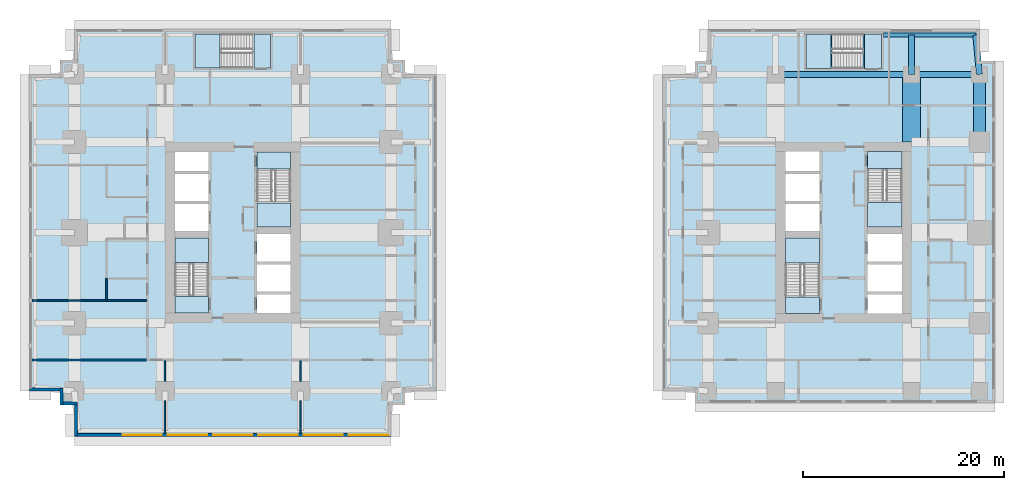
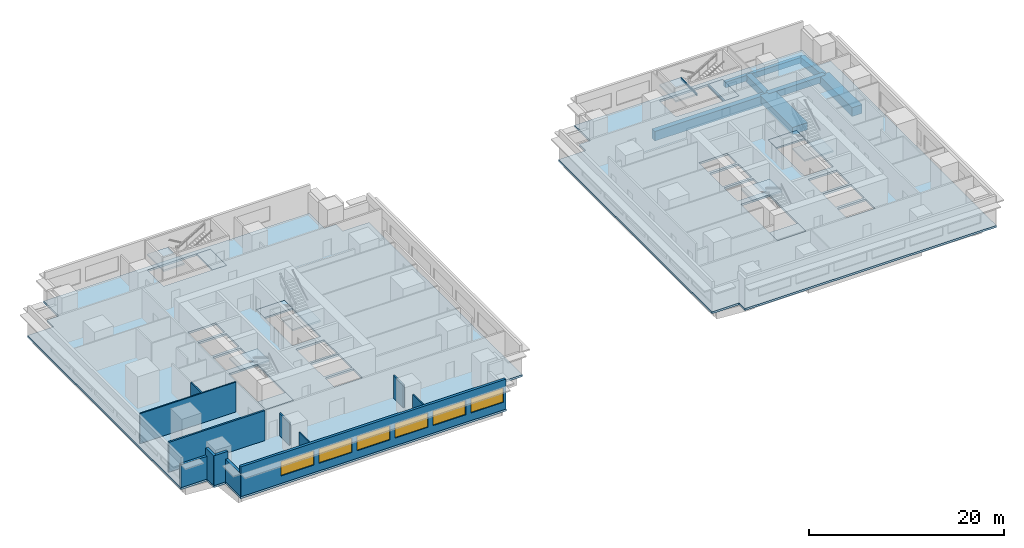
# One storey, part 2 of 11: 14 slabs, 12 walls, 9 beams, 6 windows, 6 openings, 6 elements without a shape of their own.
"""IFC4 building model written with IfcOpenShell, lengths in metres."""

import ifcopenshell
import ifcopenshell.guid

model = None  # the IFC model being written
_history = None  # IfcOwnerHistory: only IFC2X3 demands one
_inside = {}  # id of a spatial element -> (the spatial element, [elements in it])
_under = {}  # id of a project, library or spatial element -> (it, [spatial elements below it])
_declared = {}  # id of a project -> (the project, [libraries it declares])
_typed = {}  # id of a type object -> (the type object, [elements of that type])
_made_of = {}  # id of a material, layer set ... -> (it, [elements and type objects made of it])


def new_model(schema):
    """Start an empty IFC model of exactly this schema.

    Asked for "IFC4X3", IfcOpenShell would pick the latest addendum, in which some entities
    have other attributes; the version numbers below select the first issue.
    IFC2X3 requires an IfcOwnerHistory on every rooted entity: one is made here for all.
    """
    global model, _history
    if schema == "IFC4X3":
        model = ifcopenshell.file(schema_version=(4, 3, 0, 0))
    else:
        model = ifcopenshell.file(schema=schema)
    _inside.clear()
    _under.clear()
    _declared.clear()
    _typed.clear()
    _made_of.clear()
    _history = None
    if model.schema == "IFC2X3":
        org = make("IfcOrganization", Name="unknown")
        user = make(
            "IfcPersonAndOrganization",
            ThePerson=make("IfcPerson", FamilyName="unknown"),
            TheOrganization=org,
        )
        app = make(
            "IfcApplication",
            ApplicationDeveloper=org,
            Version="unknown",
            ApplicationFullName="unknown",
            ApplicationIdentifier="unknown",
        )
        _history = make(
            "IfcOwnerHistory",
            OwningUser=user,
            OwningApplication=app,
            ChangeAction="ADDED",
            CreationDate=0,
        )
    return model


def make(cls, **values):
    """One entity of the class cls with the attributes given. An attribute that is None is left unset."""
    return model.create_entity(
        cls, **{name: value for name, value in values.items() if value is not None}
    )


def rooted(cls, **values):
    """An entity with a GlobalId (a new one), such as an element, a storey or a relation."""
    return make(cls, GlobalId=ifcopenshell.guid.new(), OwnerHistory=_history, **values)


def si_unit(unit_type, name, prefix=None):
    """IfcSIUnit, for example si_unit("LENGTHUNIT", "METRE", prefix="MILLI")."""
    return make("IfcSIUnit", UnitType=unit_type, Prefix=prefix, Name=name)


def assignment(units):
    """IfcUnitAssignment: the units of a project."""
    return None if units is None else make("IfcUnitAssignment", Units=units)


def point(xyz):
    """IfcCartesianPoint."""
    return None if xyz is None else make("IfcCartesianPoint", Coordinates=xyz)


def direction(xyz):
    """IfcDirection."""
    return None if xyz is None else make("IfcDirection", DirectionRatios=xyz)


def frame(location, z_axis=None, x_axis=None):
    """IfcAxis2Placement3D, a coordinate frame: its origin and axes. An axis left out is left unset."""
    return make(
        "IfcAxis2Placement3D",
        Location=point(location),
        Axis=direction(z_axis),
        RefDirection=direction(x_axis),
    )


def frame_2d(location, x_axis=None):
    """IfcAxis2Placement2D, a coordinate frame in the plane: its origin and x axis."""
    return make(
        "IfcAxis2Placement2D", Location=point(location), RefDirection=direction(x_axis)
    )


def origin():
    """The frame at (0, 0, 0) with its axes left unset."""
    return frame((0.0, 0.0, 0.0))


def origin_2d():
    """The frame at (0, 0) in the plane with its x axis left unset."""
    return frame_2d((0.0, 0.0))


def place(relative_to, where):
    """IfcLocalPlacement: puts the frame where relative to a parent placement (None: the world)."""
    return make(
        "IfcLocalPlacement", PlacementRelTo=relative_to, RelativePlacement=where
    )


def context(
    kind, dimensions, precision=None, world=None, true_north=None, identifier=None
):
    """IfcGeometricRepresentationContext, for example the 3D "Model" context."""
    return make(
        "IfcGeometricRepresentationContext",
        ContextIdentifier=identifier,
        ContextType=kind,
        CoordinateSpaceDimension=dimensions,
        Precision=precision,
        WorldCoordinateSystem=world,
        TrueNorth=true_north,
    )


def subcontext(parent, identifier, kind, view, scale=None):
    """IfcGeometricRepresentationSubContext, for example "Body" below "Model"."""
    return make(
        "IfcGeometricRepresentationSubContext",
        ContextIdentifier=identifier,
        ContextType=kind,
        ParentContext=parent,
        TargetScale=scale,
        TargetView=view,
    )


def project(units=None, contexts=None):
    """IfcProject with its units and contexts."""
    return rooted(
        "IfcProject",
        Name="project",
        RepresentationContexts=contexts,
        UnitsInContext=assignment(units),
    )


def spatial(cls, under=None, at=None, **own):
    """A site, building, storey or space (cls), placed at a placement, below another one or the project."""
    s = rooted(cls, ObjectPlacement=at, **own)
    if under is not None:
        _under.setdefault(under.id(), (under, []))[1].append(s)
    return s


def polyline(points):
    """IfcPolyline through the points."""
    return make("IfcPolyline", Points=[point(p) for p in points])


def profile(cls, at=None, kind="AREA", **sizes):
    """A parametric profile (cls). Its sizes go by their IFC names, for example OverallWidth=200.0."""
    return make(cls, ProfileType=kind, Position=at, **sizes)


def rectangle(**sizes):
    """IfcRectangleProfileDef."""
    return profile("IfcRectangleProfileDef", **sizes)


def i_section(**sizes):
    """IfcIShapeProfileDef."""
    return profile("IfcIShapeProfileDef", **sizes)


def outline(outer, holes=None, kind="AREA"):
    """IfcArbitraryClosedProfileDef: a profile drawn as a closed curve; with holes, ...WithVoids."""
    if holes is None:
        return make("IfcArbitraryClosedProfileDef", ProfileType=kind, OuterCurve=outer)
    return make(
        "IfcArbitraryProfileDefWithVoids",
        ProfileType=kind,
        OuterCurve=outer,
        InnerCurves=holes,
    )


def extrude(swept, where, along, depth):
    """IfcExtrudedAreaSolid: the profile swept, set in the frame where, extruded along a direction by depth."""
    return make(
        "IfcExtrudedAreaSolid",
        SweptArea=swept,
        Position=where,
        ExtrudedDirection=direction(along),
        Depth=depth,
    )


def shape(context_of_items, identifier, shape_type, items):
    """IfcShapeRepresentation: the items that make up one representation, for example the "Body"."""
    return make(
        "IfcShapeRepresentation",
        ContextOfItems=context_of_items,
        RepresentationIdentifier=identifier,
        RepresentationType=shape_type,
        Items=items,
    )


def material(Name=None, Category=None):
    """IfcMaterial."""
    return make("IfcMaterial", Name=Name, Category=Category)


def layer(
    of_material, thickness, ventilated=None, Name=None, Category=None, Priority=None
):
    """IfcMaterialLayer: one layer of a wall or slab, of a material (None: an air gap)."""
    return make(
        "IfcMaterialLayer",
        Material=of_material,
        LayerThickness=thickness,
        IsVentilated=ventilated,
        Name=Name,
        Category=Category,
        Priority=Priority,
    )


def layer_set(layers, Name=None):
    """IfcMaterialLayerSet."""
    return make("IfcMaterialLayerSet", MaterialLayers=layers, LayerSetName=Name)


def material_profile(
    of_material, cross_section, Name=None, Category=None, Priority=None
):
    """IfcMaterialProfile: a cross section and its material."""
    return make(
        "IfcMaterialProfile",
        Name=Name,
        Material=of_material,
        Profile=cross_section,
        Priority=Priority,
        Category=Category,
    )


def profile_set(profiles, Name=None, composite=None):
    """IfcMaterialProfileSet."""
    return make(
        "IfcMaterialProfileSet",
        Name=Name,
        MaterialProfiles=profiles,
        CompositeProfile=composite,
    )


def made_of(thing, what):
    """Note that an element or type object is made of a material, layer set ...; save() writes the relation."""
    if what is not None:
        _made_of.setdefault(what.id(), (what, []))[1].append(thing)
    return thing


def type_object(cls, material=None, **own):
    """A type object (cls), such as IfcWallType, which elements share."""
    return made_of(rooted(cls, **own), material)


def element(
    cls,
    number,
    at=None,
    inside=None,
    cuts=None,
    type_object=None,
    material=None,
    context=None,
    identifier="Body",
    shape_type=None,
    held_by="IfcProductDefinitionShape",
    body=None,
    shapes=None,
    **own,
):
    """One element of the class cls, such as IfcWall. Its Tag is "e" and its number.

    at: its placement. inside: the storey or other place that contains it. cuts: it is an
    opening in that element (IfcRelVoidsElement). A single representation is given by context,
    identifier, shape_type and body (its items); several are given by shapes. held_by: the class
    of the entity that holds the representations. save() writes the other relations.
    """
    e = rooted(cls, Tag="e%d" % number, ObjectPlacement=at, **own)
    if body is not None:
        shapes = [shape(context, identifier, shape_type, body)]
    if shapes is not None:
        e.Representation = make(held_by, Representations=shapes)
    if inside is not None:
        _inside.setdefault(inside.id(), (inside, []))[1].append(e)
    if cuts is not None:
        rooted(
            "IfcRelVoidsElement", RelatingBuildingElement=cuts, RelatedOpeningElement=e
        )
    if type_object is not None:
        _typed.setdefault(type_object.id(), (type_object, []))[1].append(e)
    return made_of(e, material)


def fill(opening, filler):
    """IfcRelFillsElement: the door or window that sits in an opening."""
    return rooted(
        "IfcRelFillsElement",
        RelatingOpeningElement=opening,
        RelatedBuildingElement=filler,
    )


def aggregate(whole, parts):
    """IfcRelAggregates: a whole, such as a stair, and the parts it consists of."""
    return rooted("IfcRelAggregates", RelatingObject=whole, RelatedObjects=parts)


def save(model, path):
    """Write the relations noted so far, then the file.

    IfcRelAggregates (storeys below a building ...), IfcRelContainedInSpatialStructure (elements
    in a storey), IfcRelDefinesByType, IfcRelAssociatesMaterial and IfcRelDeclares: one each for
    every whole, place, type object, material and project.
    """
    for whole, parts in _under.values():
        aggregate(whole, parts)
    for where, things in _inside.values():
        rooted(
            "IfcRelContainedInSpatialStructure",
            RelatedElements=things,
            RelatingStructure=where,
        )
    for kind, things in _typed.values():
        rooted("IfcRelDefinesByType", RelatedObjects=things, RelatingType=kind)
    for what, things in _made_of.values():
        rooted("IfcRelAssociatesMaterial", RelatedObjects=things, RelatingMaterial=what)
    for by, libraries in _declared.values():
        rooted("IfcRelDeclares", RelatingContext=by, RelatedDefinitions=libraries)
    model.write(path)


model = new_model("IFC4")

# Units and contexts
model_context = context("Model", 3, precision=1e-05, world=origin(), true_north=direction((0.0, 1.0)))
body_context = subcontext(model_context, "Body", "Model", "MODEL_VIEW")
ifc_project = project(units=[si_unit("LENGTHUNIT", "METRE"), si_unit("AREAUNIT", "SQUARE_METRE"), si_unit("VOLUMEUNIT", "CUBIC_METRE"), si_unit("PLANEANGLEUNIT", "RADIAN"), si_unit("MASSUNIT", "GRAM", prefix="KILO")], contexts=[model_context])

# Site, building, storey
site_placement = place(None, origin())
site = spatial("IfcSite", under=ifc_project, at=site_placement, CompositionType="ELEMENT")
building_placement = place(site_placement, origin())
building = spatial("IfcBuilding", under=site, at=building_placement, Name="Namib Vertical Campus", CompositionType="ELEMENT")
storey_placement = place(building_placement, frame((0.0, 0.0, 93.0)))
storey = spatial("IfcBuildingStorey", under=building, at=storey_placement, Name="L21", CompositionType="ELEMENT", Elevation=93.0)

# Beams
ifc_material_1 = material(Name="Concrete C40/50", Category="concrete")
ifc_material_profile_1 = material_profile(ifc_material_1, rectangle(XDim=0.60009765625, YDim=0.89990234375, at=origin_2d()))
ifc_profile_set_1 = profile_set([ifc_material_profile_1], Name="Concrete C40/50")
beam_type_1 = type_object("IfcBeamType", Name="Cantilever girder RC 600x900", PredefinedType="BEAM", material=ifc_profile_set_1)
beam_1_placement = place(storey_placement, frame((87.75, 36.0, -0.699951171875), z_axis=(0.0, 1.0, 0.0), x_axis=(-1.0, 0.0, 0.0)))
element("IfcBeam", 1, at=beam_1_placement, inside=storey, type_object=beam_type_1, Name="Beam B3 L21", PredefinedType="BEAM", context=body_context, shape_type="SweptSolid", body=[
    extrude(rectangle(XDim=0.60009765625, YDim=0.89990234375, at=origin_2d()), origin(), (0.0, 0.0, 1.0), 3.89990234375),
])
beam_2_placement = place(storey_placement, frame((94.5, 36.0, -0.699951171875), z_axis=(-0.089411326146, 0.995994786511, 0.0), x_axis=(-0.995994786511, -0.089411326146, 0.0)))
element("IfcBeam", 2, at=beam_2_placement, inside=storey, type_object=beam_type_1, Name="Beam B3 L21", PredefinedType="BEAM", context=body_context, shape_type="SweptSolid", body=[
    extrude(rectangle(XDim=0.60009765625, YDim=0.89990234375, at=origin_2d()), origin(), (0.0, 0.0, 1.0), 3.91552734375),
])
ifc_material_2 = material(Name="Concrete C40/50", Category="concrete")
ifc_material_profile_2 = material_profile(ifc_material_2, rectangle(XDim=0.39990234375, YDim=0.699951171875, at=origin_2d()))
ifc_profile_set_2 = profile_set([ifc_material_profile_2], Name="Concrete C40/50")
beam_type_2 = type_object("IfcBeamType", Name="Edge beam RC 400x700", PredefinedType="SPANDREL", material=ifc_profile_set_2)
beam_3_placement = place(storey_placement, frame((84.949951171875, 39.89990234375, -0.60009765625), z_axis=(1.0, 0.0, 0.0), x_axis=(0.0, 1.0, 0.0)))
element("IfcBeam", 3, at=beam_3_placement, inside=storey, type_object=beam_type_2, Name="Beam B4 L21", PredefinedType="SPANDREL", context=body_context, shape_type="SweptSolid", body=[
    extrude(rectangle(XDim=0.39990234375, YDim=0.699951171875, at=origin_2d()), origin(), (0.0, 0.0, 1.0), 9.199951171875),
])
ifc_material_3 = material(Name="Concrete C40/50", Category="concrete")
ifc_material_profile_3 = material_profile(ifc_material_3, rectangle(XDim=1.199951171875, YDim=1.10009765625, at=origin_2d()))
ifc_profile_set_3 = profile_set([ifc_material_profile_3], Name="Concrete C40/50")
beam_type_3 = type_object("IfcBeamType", Name="Face ring beam RC 1200x1100", PredefinedType="BEAM", material=ifc_profile_set_3)
beam_4_placement = place(storey_placement, frame((94.5, 29.25, -0.800048828125), z_axis=(0.0, 1.0, 0.0), x_axis=(-1.0, 0.0, 0.0)))
element("IfcBeam", 4, at=beam_4_placement, inside=storey, type_object=beam_type_3, Name="Beam B11 L21", PredefinedType="BEAM", context=body_context, shape_type="SweptSolid", body=[
    extrude(rectangle(XDim=1.199951171875, YDim=1.10009765625, at=origin_2d()), origin(), (0.0, 0.0, 1.0), 6.75),
])
ifc_material_4 = material(Name="Steel S355JR", Category="steel")
ifc_material_profile_4 = material_profile(ifc_material_4, i_section(OverallWidth=0.14599609375, OverallDepth=0.25146484375, WebThickness=0.006103515625, FlangeThickness=0.008544921875, FilletRadius=0.007568359375, at=origin_2d()))
ifc_profile_set_4 = profile_set([ifc_material_profile_4], Name="Steel S355JR")
beam_type_4 = type_object("IfcBeamType", Name="Landing trimmer UB 254x146x31", PredefinedType="BEAM", material=ifc_profile_set_4)
for number, where, z_axis, x_axis, name in (
    (5, (83.02294921875, 36.60009765625, -0.125732421875), (0.0, 1.0, 0.0), (-1.0, 0.0, 0.0), "Landing trimmer LT1 B-S3 L21 1"),
    (6, (79.796875, 36.60009765625, 1.874267578125), (0.0, 1.0, 0.0), (-1.0, 0.0, 0.0), "Landing trimmer LT1 B-S3 L21 2"),
):
    element("IfcBeam", number, at=place(storey_placement, frame(where, z_axis=z_axis, x_axis=x_axis)), inside=storey, type_object=beam_type_4, Name=name, PredefinedType="BEAM", context=body_context, shape_type="SweptSolid", body=[
        extrude(i_section(OverallWidth=0.14599609375, OverallDepth=0.25146484375, WebThickness=0.006103515625, FlangeThickness=0.008544921875, FilletRadius=0.007568359375, at=origin_2d()), origin(), (0.0, 0.0, 1.0), 3.39990234375),
    ])
ifc_material_5 = material(Name="Concrete C40/50", Category="concrete")
ifc_material_profile_5 = material_profile(ifc_material_5, rectangle(XDim=0.60009765625, YDim=1.199951171875, at=origin_2d()))
ifc_profile_set_5 = profile_set([ifc_material_profile_5], Name="Concrete C40/50")
beam_type_5 = type_object("IfcBeamType", Name="Long-span ring beam RC 600x1200", PredefinedType="BEAM", material=ifc_profile_set_5)
beam_5_placement = place(storey_placement, frame((74.25, 36.0, -0.85009765625), z_axis=(1.0, 0.0, 0.0), x_axis=(0.0, 1.0, 0.0)))
element("IfcBeam", 7, at=beam_5_placement, inside=storey, type_object=beam_type_5, Name="Beam B9 L21", PredefinedType="BEAM", context=body_context, shape_type="SweptSolid", body=[
    extrude(rectangle(XDim=0.60009765625, YDim=1.199951171875, at=origin_2d()), origin(), (0.0, 0.0, 1.0), 13.5),
])
ifc_material_6 = material(Name="Concrete C40/50", Category="concrete")
ifc_material_profile_6 = material_profile(ifc_material_6, rectangle(XDim=1.800048828125, YDim=0.89990234375, at=origin_2d()))
ifc_profile_set_6 = profile_set([ifc_material_profile_6], Name="Concrete C40/50")
beam_type_6 = type_object("IfcBeamType", Name="Outrigger line girder RC 1800x900", PredefinedType="BEAM", material=ifc_profile_set_6)
beam_6_placement = place(storey_placement, frame((87.75, 36.0, -0.699951171875), z_axis=(0.0, -1.0, 0.0), x_axis=(1.0, 0.0, 0.0)))
element("IfcBeam", 8, at=beam_6_placement, inside=storey, type_object=beam_type_6, Name="Beam B12 L21", PredefinedType="BEAM", context=body_context, shape_type="SweptSolid", body=[
    extrude(rectangle(XDim=1.800048828125, YDim=0.89990234375, at=origin_2d()), origin(), (0.0, 0.0, 1.0), 6.75),
])
ifc_material_7 = material(Name="Concrete C40/50", Category="concrete")
ifc_material_profile_7 = material_profile(ifc_material_7, rectangle(XDim=0.60009765625, YDim=0.800048828125, at=origin_2d()))
ifc_profile_set_7 = profile_set([ifc_material_profile_7], Name="Concrete C40/50")
beam_type_7 = type_object("IfcBeamType", Name="Ring beam RC 600x800", PredefinedType="BEAM", material=ifc_profile_set_7)
beam_7_placement = place(storey_placement, frame((87.75, 36.0, -0.64990234375), z_axis=(1.0, 0.0, 0.0), x_axis=(0.0, 1.0, 0.0)))
element("IfcBeam", 9, at=beam_7_placement, inside=storey, type_object=beam_type_7, Name="Beam B1 L21", PredefinedType="BEAM", context=body_context, shape_type="SweptSolid", body=[
    extrude(rectangle(XDim=0.60009765625, YDim=0.800048828125, at=origin_2d()), origin(), (0.0, 0.0, 1.0), 6.75),
])

# Slabs
ifc_material_8 = material(Name="Concrete C40/50", Category="concrete")
ifc_layer_1 = layer(ifc_material_8, 0.25)
ifc_layer_set_1 = layer_set([ifc_layer_1], Name="Concrete C40/50")
slab_type_1 = type_object("IfcSlabType", Name="Floor slab 250", PredefinedType="FLOOR", material=ifc_layer_set_1)
slab_1_placement = place(storey_placement, frame((0.0, 0.0, -0.25)))
element("IfcSlab", 10, at=slab_1_placement, inside=storey, type_object=slab_type_1, Name="Floor slab A L21", PredefinedType="FLOOR", context=body_context, shape_type="SweptSolid", body=[
    extrude(outline(polyline([(4.5, 0.0), (36.0, 0.0), (36.0, 3.10009765625), (37.39990234375, 3.10009765625), (37.39990234375, 4.5), (40.5, 4.5), (40.5, 36.0), (37.39990234375, 36.0), (37.39990234375, 37.39990234375), (36.0, 37.39990234375), (36.0, 40.5), (4.5, 40.5), (4.5, 37.39990234375), (3.10009765625, 37.39990234375), (3.10009765625, 36.0), (0.0, 36.0), (0.0, 4.5), (3.10009765625, 4.5), (3.10009765625, 3.10009765625), (4.5, 3.10009765625), (4.5, 0.0)]), holes=[polyline([(14.5, 12.25), (17.85009765625, 12.25), (17.85009765625, 19.699951171875), (14.5, 19.699951171875), (14.5, 12.25)]), polyline([(22.64990234375, 20.800048828125), (26.0, 20.800048828125), (26.0, 28.25), (22.64990234375, 28.25), (22.64990234375, 20.800048828125)]), polyline([(22.64990234375, 12.25), (26.0, 12.25), (26.0, 14.10009765625), (22.64990234375, 14.10009765625), (22.64990234375, 12.25)]), polyline([(14.5, 20.39990234375), (17.85009765625, 20.39990234375), (17.85009765625, 23.10009765625), (14.5, 23.10009765625), (14.5, 20.39990234375)]), polyline([(14.5, 23.39990234375), (17.85009765625, 23.39990234375), (17.85009765625, 26.10009765625), (14.5, 26.10009765625), (14.5, 23.39990234375)]), polyline([(14.5, 26.39990234375), (17.85009765625, 26.39990234375), (17.85009765625, 28.25), (14.5, 28.25), (14.5, 26.39990234375)]), polyline([(22.64990234375, 14.39990234375), (26.0, 14.39990234375), (26.0, 17.10009765625), (22.64990234375, 17.10009765625), (22.64990234375, 14.39990234375)]), polyline([(22.64990234375, 17.39990234375), (26.0, 17.39990234375), (26.0, 20.10009765625), (22.64990234375, 20.10009765625), (22.64990234375, 17.39990234375)]), polyline([(16.5, 36.64990234375), (24.0, 36.64990234375), (24.0, 40.0), (16.5, 40.0), (16.5, 36.64990234375)])]), origin(), (0.0, 0.0, 1.0), 0.25),
])
slab_2_placement = place(storey_placement, frame((0.0, 0.0, -0.25)))
element("IfcSlab", 11, at=slab_2_placement, inside=storey, type_object=slab_type_1, Name="Floor slab B L21", PredefinedType="FLOOR", context=body_context, shape_type="SweptSolid", body=[
    extrude(outline(polyline([(63.0, 4.5), (66.199951171875, 4.5), (66.199951171875, 3.300048828125), (96.050048828125, 3.300048828125), (96.050048828125, 37.300048828125), (94.5, 37.300048828125), (94.5, 40.5), (67.5, 40.5), (67.5, 37.300048828125), (66.199951171875, 37.300048828125), (66.199951171875, 36.0), (63.0, 36.0), (63.0, 4.5)]), holes=[polyline([(75.199951171875, 12.199951171875), (78.60009765625, 12.199951171875), (78.60009765625, 19.699951171875), (75.199951171875, 19.699951171875), (75.199951171875, 12.199951171875)]), polyline([(83.39990234375, 20.800048828125), (86.800048828125, 20.800048828125), (86.800048828125, 28.300048828125), (83.39990234375, 28.300048828125), (83.39990234375, 20.800048828125)]), polyline([(83.39990234375, 12.199951171875), (86.800048828125, 12.199951171875), (86.800048828125, 14.10009765625), (83.39990234375, 14.10009765625), (83.39990234375, 12.199951171875)]), polyline([(75.199951171875, 20.39990234375), (78.60009765625, 20.39990234375), (78.60009765625, 23.10009765625), (75.199951171875, 23.10009765625), (75.199951171875, 20.39990234375)]), polyline([(75.199951171875, 23.39990234375), (78.60009765625, 23.39990234375), (78.60009765625, 26.10009765625), (75.199951171875, 26.10009765625), (75.199951171875, 23.39990234375)]), polyline([(75.199951171875, 26.39990234375), (78.60009765625, 26.39990234375), (78.60009765625, 28.300048828125), (75.199951171875, 28.300048828125), (75.199951171875, 26.39990234375)]), polyline([(83.39990234375, 14.39990234375), (86.800048828125, 14.39990234375), (86.800048828125, 17.10009765625), (83.39990234375, 17.10009765625), (83.39990234375, 14.39990234375)]), polyline([(83.39990234375, 17.39990234375), (86.800048828125, 17.39990234375), (86.800048828125, 20.10009765625), (83.39990234375, 20.10009765625), (83.39990234375, 17.39990234375)]), polyline([(77.25, 36.60009765625), (84.75, 36.60009765625), (84.75, 40.0), (77.25, 40.0), (77.25, 36.60009765625)])]), origin(), (0.0, 0.0, 1.0), 0.25),
])

# Stair, slabs
ifc_material_9 = material(Name="Concrete C40/50 precast", Category="concrete")
stair_type_1 = type_object("IfcStairType", Name="Exit stair 4000 rise 24 risers 3350 wide", PredefinedType="HALF_TURN_STAIR", material=ifc_material_9)
stair_1_placement = place(storey_placement, origin())
stair_1 = element("IfcStair", 12, at=stair_1_placement, inside=storey, type_object=stair_type_1, Name="Exit stair A-S1 L21", PredefinedType="HALF_TURN_STAIR")
ifc_material_10 = material(Name="Concrete C40/50", Category="concrete")
ifc_layer_2 = layer(ifc_material_10, 0.199951171875)
ifc_layer_set_2 = layer_set([ifc_layer_2], Name="Concrete C40/50")
slab_type_2 = type_object("IfcSlabType", Name="Stair landing 200", PredefinedType="LANDING", material=ifc_layer_set_2)
slab_3_placement = place(storey_placement, frame((0.0, 0.0, -0.199951171875)))
slab_3 = element("IfcSlab", 13, at=slab_3_placement, type_object=slab_type_2, Name="A-S1 landing 1", PredefinedType="LANDING", context=body_context, shape_type="SweptSolid", body=[
    extrude(outline(polyline([(14.5, 12.25), (17.85009765625, 12.25), (17.85009765625, 13.90380859375), (14.5, 13.90380859375), (14.5, 12.25)])), origin(), (0.0, 0.0, 1.0), 0.199951171875),
])
slab_4_placement = place(storey_placement, frame((0.0, 0.0, 1.800048828125)))
slab_4 = element("IfcSlab", 14, at=slab_4_placement, type_object=slab_type_2, Name="A-S1 landing 2", PredefinedType="LANDING", context=body_context, shape_type="SweptSolid", body=[
    extrude(outline(polyline([(14.5, 17.276123046875), (17.85009765625, 17.276123046875), (17.85009765625, 19.699951171875), (14.5, 19.699951171875), (14.5, 17.276123046875)])), origin(), (0.0, 0.0, 1.0), 0.199951171875),
])
aggregate(stair_1, [slab_3, slab_4])

stair_2_placement = place(storey_placement, origin())
stair_2 = element("IfcStair", 15, at=stair_2_placement, inside=storey, type_object=stair_type_1, Name="Exit stair A-S2 L21", PredefinedType="HALF_TURN_STAIR")
slab_5_placement = place(storey_placement, frame((0.0, 0.0, -0.199951171875)))
slab_5 = element("IfcSlab", 16, at=slab_5_placement, type_object=slab_type_2, Name="A-S2 landing 1", PredefinedType="LANDING", context=body_context, shape_type="SweptSolid", body=[
    extrude(outline(polyline([(22.64990234375, 26.59619140625), (26.0, 26.59619140625), (26.0, 28.25), (22.64990234375, 28.25), (22.64990234375, 26.59619140625)])), origin(), (0.0, 0.0, 1.0), 0.199951171875),
])
slab_6_placement = place(storey_placement, frame((0.0, 0.0, 1.800048828125)))
slab_6 = element("IfcSlab", 17, at=slab_6_placement, type_object=slab_type_2, Name="A-S2 landing 2", PredefinedType="LANDING", context=body_context, shape_type="SweptSolid", body=[
    extrude(outline(polyline([(22.64990234375, 20.800048828125), (26.0, 20.800048828125), (26.0, 23.223876953125), (22.64990234375, 23.223876953125), (22.64990234375, 20.800048828125)])), origin(), (0.0, 0.0, 1.0), 0.199951171875),
])
aggregate(stair_2, [slab_5, slab_6])

ifc_material_11 = material(Name="Concrete C40/50 precast", Category="concrete")
stair_type_2 = type_object("IfcStairType", Name="Exit stair 4000 rise 24 risers 3400 wide", PredefinedType="HALF_TURN_STAIR", material=ifc_material_11)
stair_3_placement = place(storey_placement, origin())
stair_3 = element("IfcStair", 18, at=stair_3_placement, inside=storey, type_object=stair_type_2, Name="Exit stair B-S1 L21", PredefinedType="HALF_TURN_STAIR")
slab_7_placement = place(storey_placement, frame((0.0, 0.0, -0.199951171875)))
slab_7 = element("IfcSlab", 19, at=slab_7_placement, type_object=slab_type_2, Name="B-S1 landing 1", PredefinedType="LANDING", context=body_context, shape_type="SweptSolid", body=[
    extrude(outline(polyline([(75.199951171875, 12.199951171875), (78.60009765625, 12.199951171875), (78.60009765625, 13.85400390625), (75.199951171875, 13.85400390625), (75.199951171875, 12.199951171875)])), origin(), (0.0, 0.0, 1.0), 0.199951171875),
])
slab_8_placement = place(storey_placement, frame((0.0, 0.0, 1.800048828125)))
slab_8 = element("IfcSlab", 20, at=slab_8_placement, type_object=slab_type_2, Name="B-S1 landing 2", PredefinedType="LANDING", context=body_context, shape_type="SweptSolid", body=[
    extrude(outline(polyline([(75.199951171875, 17.22607421875), (78.60009765625, 17.22607421875), (78.60009765625, 19.699951171875), (75.199951171875, 19.699951171875), (75.199951171875, 17.22607421875)])), origin(), (0.0, 0.0, 1.0), 0.199951171875),
])
aggregate(stair_3, [slab_7, slab_8])

stair_4_placement = place(storey_placement, origin())
stair_4 = element("IfcStair", 21, at=stair_4_placement, inside=storey, type_object=stair_type_2, Name="Exit stair B-S2 L21", PredefinedType="HALF_TURN_STAIR")
slab_9_placement = place(storey_placement, frame((0.0, 0.0, -0.199951171875)))
slab_9 = element("IfcSlab", 22, at=slab_9_placement, type_object=slab_type_2, Name="B-S2 landing 1", PredefinedType="LANDING", context=body_context, shape_type="SweptSolid", body=[
    extrude(outline(polyline([(83.39990234375, 26.64599609375), (86.800048828125, 26.64599609375), (86.800048828125, 28.300048828125), (83.39990234375, 28.300048828125), (83.39990234375, 26.64599609375)])), origin(), (0.0, 0.0, 1.0), 0.199951171875),
])
slab_10_placement = place(storey_placement, frame((0.0, 0.0, 1.800048828125)))
slab_10 = element("IfcSlab", 23, at=slab_10_placement, type_object=slab_type_2, Name="B-S2 landing 2", PredefinedType="LANDING", context=body_context, shape_type="SweptSolid", body=[
    extrude(outline(polyline([(83.39990234375, 20.800048828125), (86.800048828125, 20.800048828125), (86.800048828125, 23.27392578125), (83.39990234375, 23.27392578125), (83.39990234375, 20.800048828125)])), origin(), (0.0, 0.0, 1.0), 0.199951171875),
])
aggregate(stair_4, [slab_9, slab_10])

stair_5_placement = place(storey_placement, origin())
stair_5 = element("IfcStair", 24, at=stair_5_placement, inside=storey, type_object=stair_type_1, Name="Exit stair A-S3 L21", PredefinedType="HALF_TURN_STAIR")
slab_11_placement = place(storey_placement, frame((0.0, 0.0, -0.199951171875)))
slab_11 = element("IfcSlab", 25, at=slab_11_placement, type_object=slab_type_2, Name="A-S3 landing 1", PredefinedType="LANDING", context=body_context, shape_type="SweptSolid", body=[
    extrude(outline(polyline([(22.34619140625, 36.64990234375), (22.34619140625, 40.0), (24.0, 40.0), (24.0, 36.64990234375), (22.34619140625, 36.64990234375)])), origin(), (0.0, 0.0, 1.0), 0.199951171875),
])
slab_12_placement = place(storey_placement, frame((0.0, 0.0, 1.800048828125)))
slab_12 = element("IfcSlab", 26, at=slab_12_placement, type_object=slab_type_2, Name="A-S3 landing 2", PredefinedType="LANDING", context=body_context, shape_type="SweptSolid", body=[
    extrude(outline(polyline([(16.5, 36.64990234375), (16.5, 40.0), (18.973876953125, 40.0), (18.973876953125, 36.64990234375), (16.5, 36.64990234375)])), origin(), (0.0, 0.0, 1.0), 0.199951171875),
])
aggregate(stair_5, [slab_11, slab_12])

stair_6_placement = place(storey_placement, origin())
stair_6 = element("IfcStair", 27, at=stair_6_placement, inside=storey, type_object=stair_type_2, Name="Exit stair B-S3 L21", PredefinedType="HALF_TURN_STAIR")
slab_13_placement = place(storey_placement, frame((0.0, 0.0, -0.199951171875)))
slab_13 = element("IfcSlab", 28, at=slab_13_placement, type_object=slab_type_2, Name="B-S3 landing 1", PredefinedType="LANDING", context=body_context, shape_type="SweptSolid", body=[
    extrude(outline(polyline([(83.09619140625, 36.60009765625), (83.09619140625, 40.0), (84.75, 40.0), (84.75, 36.60009765625), (83.09619140625, 36.60009765625)])), origin(), (0.0, 0.0, 1.0), 0.199951171875),
])
slab_14_placement = place(storey_placement, frame((0.0, 0.0, 1.800048828125)))
slab_14 = element("IfcSlab", 29, at=slab_14_placement, type_object=slab_type_2, Name="B-S3 landing 2", PredefinedType="LANDING", context=body_context, shape_type="SweptSolid", body=[
    extrude(outline(polyline([(77.25, 36.60009765625), (77.25, 40.0), (79.723876953125, 40.0), (79.723876953125, 36.60009765625), (77.25, 36.60009765625)])), origin(), (0.0, 0.0, 1.0), 0.199951171875),
])
aggregate(stair_6, [slab_13, slab_14])

# Wall
ifc_material_12 = material(Name="Concrete masonry", Category="masonry")
ifc_layer_3 = layer(ifc_material_12, 0.199951171875)
ifc_layer_set_3 = layer_set([ifc_layer_3], Name="Corridor wall 200")
wall_type_1 = type_object("IfcWallType", Name="Corridor wall 200", PredefinedType="SOLIDWALL", material=ifc_layer_set_3)
wall_1_placement = place(storey_placement, frame((0.300048828125, 7.60009765625, 0.0), z_axis=(0.0, 0.0, 1.0), x_axis=(1.0, 0.0, 0.0)))
element("IfcWall", 30, at=wall_1_placement, inside=storey, type_object=wall_type_1, Name="Partition A L21 BSW", PredefinedType="SOLIDWALL", context=body_context, shape_type="SweptSolid", body=[
    extrude(rectangle(XDim=11.39990234375, YDim=0.199951171875, at=frame_2d((5.699951171875, 0.0))), origin(), (0.0, 0.0, 1.0), 3.75),
])

# Wall, openings, windows
ifc_material_13 = material(Name="Concrete C40/50", Category="concrete")
ifc_layer_4 = layer(ifc_material_13, 0.300048828125)
ifc_layer_set_4 = layer_set([ifc_layer_4], Name="Concrete C40/50")
wall_type_2 = type_object("IfcWallType", Name="External wall 300 board-marked concrete", PredefinedType="STANDARD", material=ifc_layer_set_4)
wall_2_placement = place(storey_placement, frame((4.52001953125, 0.14990234375, 0.0), z_axis=(0.0, 0.0, 1.0), x_axis=(1.0, 0.0, 0.0)))
wall_2 = element("IfcWall", 31, at=wall_2_placement, inside=storey, type_object=wall_type_2, Name="External wall L21 F01", PredefinedType="STANDARD", context=body_context, shape_type="SweptSolid", body=[
    extrude(rectangle(XDim=31.4599609375, YDim=0.300048828125, at=frame_2d((15.72998046875, 0.0))), origin(), (0.0, 0.0, 1.0), 3.75),
])
opening_1_placement = place(wall_2_placement, frame((4.780029296875, 0.0, 0.949951171875)))
opening_1 = element("IfcOpeningElement", 32, at=opening_1_placement, cuts=wall_2, Name="Opening W3", PredefinedType="OPENING", context=body_context, shape_type="SweptSolid", body=[
    extrude(rectangle(XDim=3.89990234375, YDim=1.800048828125, at=frame_2d((1.949951171875, 0.89990234375))), frame((0.0, 0.159912109375, 0.0), z_axis=(0.0, -1.0, 0.0), x_axis=(1.0, 0.0, 0.0)), (0.0, 0.0, 1.0), 0.320068359375),
])
opening_2_placement = place(wall_2_placement, frame((9.280029296875, 0.0, 0.949951171875)))
opening_2 = element("IfcOpeningElement", 33, at=opening_2_placement, cuts=wall_2, Name="Opening W3", PredefinedType="OPENING", context=body_context, shape_type="SweptSolid", body=[
    extrude(rectangle(XDim=3.89990234375, YDim=1.800048828125, at=frame_2d((1.949951171875, 0.89990234375))), frame((0.0, 0.159912109375, 0.0), z_axis=(0.0, -1.0, 0.0), x_axis=(1.0, 0.0, 0.0)), (0.0, 0.0, 1.0), 0.320068359375),
])
opening_3_placement = place(wall_2_placement, frame((13.780029296875, 0.0, 0.949951171875)))
opening_3 = element("IfcOpeningElement", 34, at=opening_3_placement, cuts=wall_2, Name="Opening W3", PredefinedType="OPENING", context=body_context, shape_type="SweptSolid", body=[
    extrude(rectangle(XDim=3.89990234375, YDim=1.800048828125, at=frame_2d((1.949951171875, 0.89990234375))), frame((0.0, 0.159912109375, 0.0), z_axis=(0.0, -1.0, 0.0), x_axis=(1.0, 0.0, 0.0)), (0.0, 0.0, 1.0), 0.320068359375),
])
opening_4_placement = place(wall_2_placement, frame((18.280029296875, 0.0, 0.949951171875)))
opening_4 = element("IfcOpeningElement", 35, at=opening_4_placement, cuts=wall_2, Name="Opening W3", PredefinedType="OPENING", context=body_context, shape_type="SweptSolid", body=[
    extrude(rectangle(XDim=3.89990234375, YDim=1.800048828125, at=frame_2d((1.949951171875, 0.89990234375))), frame((0.0, 0.159912109375, 0.0), z_axis=(0.0, -1.0, 0.0), x_axis=(1.0, 0.0, 0.0)), (0.0, 0.0, 1.0), 0.320068359375),
])
opening_5_placement = place(wall_2_placement, frame((22.780029296875, 0.0, 0.949951171875)))
opening_5 = element("IfcOpeningElement", 36, at=opening_5_placement, cuts=wall_2, Name="Opening W3", PredefinedType="OPENING", context=body_context, shape_type="SweptSolid", body=[
    extrude(rectangle(XDim=3.89990234375, YDim=1.800048828125, at=frame_2d((1.949951171875, 0.89990234375))), frame((0.0, 0.159912109375, 0.0), z_axis=(0.0, -1.0, 0.0), x_axis=(1.0, 0.0, 0.0)), (0.0, 0.0, 1.0), 0.320068359375),
])
opening_6_placement = place(wall_2_placement, frame((27.280029296875, 0.0, 0.949951171875)))
opening_6 = element("IfcOpeningElement", 37, at=opening_6_placement, cuts=wall_2, Name="Opening W3", PredefinedType="OPENING", context=body_context, shape_type="SweptSolid", body=[
    extrude(rectangle(XDim=3.89990234375, YDim=1.800048828125, at=frame_2d((1.949951171875, 0.89990234375))), frame((0.0, 0.159912109375, 0.0), z_axis=(0.0, -1.0, 0.0), x_axis=(1.0, 0.0, 0.0)), (0.0, 0.0, 1.0), 0.320068359375),
])
ifc_material_14 = material(Name="Dark tinted glass in black aluminium frame", Category="aluminium")
window_type = type_object("IfcWindowType", Name="Ribbon window 3900x1800", PartitioningType="SINGLE_PANEL", PredefinedType="WINDOW", material=ifc_material_14)
window_1_placement = place(opening_1_placement, origin())
window_1 = element("IfcWindow", 38, at=window_1_placement, inside=storey, type_object=window_type, Name="Window W3 L21 F01-2", OverallHeight=1.800048828125, OverallWidth=3.89990234375, PartitioningType="SINGLE_PANEL", PredefinedType="WINDOW", context=body_context, shape_type="SweptSolid", body=[
    extrude(rectangle(XDim=3.89990234375, YDim=1.800048828125, at=frame_2d((1.949951171875, 0.89990234375))), frame((0.0, 0.030029296875, 0.0), z_axis=(0.0, -1.0, 0.0), x_axis=(1.0, 0.0, 0.0)), (0.0, 0.0, 1.0), 0.06005859375),
])
fill(opening_1, window_1)
window_2_placement = place(opening_2_placement, origin())
window_2 = element("IfcWindow", 39, at=window_2_placement, inside=storey, type_object=window_type, Name="Window W3 L21 F01-3", OverallHeight=1.800048828125, OverallWidth=3.89990234375, PartitioningType="SINGLE_PANEL", PredefinedType="WINDOW", context=body_context, shape_type="SweptSolid", body=[
    extrude(rectangle(XDim=3.89990234375, YDim=1.800048828125, at=frame_2d((1.949951171875, 0.89990234375))), frame((0.0, 0.030029296875, 0.0), z_axis=(0.0, -1.0, 0.0), x_axis=(1.0, 0.0, 0.0)), (0.0, 0.0, 1.0), 0.06005859375),
])
fill(opening_2, window_2)
window_3_placement = place(opening_3_placement, origin())
window_3 = element("IfcWindow", 40, at=window_3_placement, inside=storey, type_object=window_type, Name="Window W3 L21 F01-4", OverallHeight=1.800048828125, OverallWidth=3.89990234375, PartitioningType="SINGLE_PANEL", PredefinedType="WINDOW", context=body_context, shape_type="SweptSolid", body=[
    extrude(rectangle(XDim=3.89990234375, YDim=1.800048828125, at=frame_2d((1.949951171875, 0.89990234375))), frame((0.0, 0.030029296875, 0.0), z_axis=(0.0, -1.0, 0.0), x_axis=(1.0, 0.0, 0.0)), (0.0, 0.0, 1.0), 0.06005859375),
])
fill(opening_3, window_3)
window_4_placement = place(opening_4_placement, origin())
window_4 = element("IfcWindow", 41, at=window_4_placement, inside=storey, type_object=window_type, Name="Window W3 L21 F01-5", OverallHeight=1.800048828125, OverallWidth=3.89990234375, PartitioningType="SINGLE_PANEL", PredefinedType="WINDOW", context=body_context, shape_type="SweptSolid", body=[
    extrude(rectangle(XDim=3.89990234375, YDim=1.800048828125, at=frame_2d((1.949951171875, 0.89990234375))), frame((0.0, 0.030029296875, 0.0), z_axis=(0.0, -1.0, 0.0), x_axis=(1.0, 0.0, 0.0)), (0.0, 0.0, 1.0), 0.06005859375),
])
fill(opening_4, window_4)
window_5_placement = place(opening_5_placement, origin())
window_5 = element("IfcWindow", 42, at=window_5_placement, inside=storey, type_object=window_type, Name="Window W3 L21 F01-6", OverallHeight=1.800048828125, OverallWidth=3.89990234375, PartitioningType="SINGLE_PANEL", PredefinedType="WINDOW", context=body_context, shape_type="SweptSolid", body=[
    extrude(rectangle(XDim=3.89990234375, YDim=1.800048828125, at=frame_2d((1.949951171875, 0.89990234375))), frame((0.0, 0.030029296875, 0.0), z_axis=(0.0, -1.0, 0.0), x_axis=(1.0, 0.0, 0.0)), (0.0, 0.0, 1.0), 0.06005859375),
])
fill(opening_5, window_5)
window_6_placement = place(opening_6_placement, origin())
window_6 = element("IfcWindow", 43, at=window_6_placement, inside=storey, type_object=window_type, Name="Window W3 L21 F01-7", OverallHeight=1.800048828125, OverallWidth=3.89990234375, PartitioningType="SINGLE_PANEL", PredefinedType="WINDOW", context=body_context, shape_type="SweptSolid", body=[
    extrude(rectangle(XDim=3.89990234375, YDim=1.800048828125, at=frame_2d((1.949951171875, 0.89990234375))), frame((0.0, 0.030029296875, 0.0), z_axis=(0.0, -1.0, 0.0), x_axis=(1.0, 0.0, 0.0)), (0.0, 0.0, 1.0), 0.06005859375),
])
fill(opening_6, window_6)

# Walls
wall_3_placement = place(storey_placement, frame((0.02001953125, 4.64990234375, 0.0), z_axis=(0.0, 0.0, 1.0), x_axis=(1.0, 0.0, 0.0)))
element("IfcWall", 44, at=wall_3_placement, inside=storey, type_object=wall_type_2, Name="External wall L21 F17", PredefinedType="STANDARD", context=body_context, shape_type="SweptSolid", body=[
    extrude(rectangle(XDim=3.35986328125, YDim=0.300048828125, at=frame_2d((1.679931640625, 0.0))), origin(), (0.0, 0.0, 1.0), 2.85009765625),
])
for number, where, z_axis, x_axis, name in (
    (45, (3.25, 4.780029296875, 0.0), (0.0, 0.0, 1.0), (0.0, -1.0, 0.0), "External wall L21 F18"),
    (46, (3.1201171875, 3.25, 0.0), (0.0, 0.0, 1.0), (1.0, 0.0, 0.0), "External wall L21 F19"),
):
    element("IfcWall", number, at=place(storey_placement, frame(where, z_axis=z_axis, x_axis=x_axis)), inside=storey, type_object=wall_type_2, Name=name, PredefinedType="STANDARD", context=body_context, shape_type="SweptSolid", body=[
        extrude(rectangle(XDim=1.659912109375, YDim=0.300048828125, at=frame_2d((0.830078125, 0.0))), origin(), (0.0, 0.0, 1.0), 3.75),
    ])
wall_4_placement = place(storey_placement, frame((4.64990234375, 3.3798828125, 0.0), z_axis=(0.0, 0.0, 1.0), x_axis=(0.0, -1.0, 0.0)))
element("IfcWall", 47, at=wall_4_placement, inside=storey, type_object=wall_type_2, Name="External wall L21 F20", PredefinedType="STANDARD", context=body_context, shape_type="SweptSolid", body=[
    extrude(rectangle(XDim=3.35986328125, YDim=0.300048828125, at=frame_2d((1.679931640625, 0.0))), origin(), (0.0, 0.0, 1.0), 2.85009765625),
])
ifc_material_15 = material(Name="Gypsum board on steel studs", Category="steel")
ifc_layer_5 = layer(ifc_material_15, 0.14990234375)
ifc_layer_set_5 = layer_set([ifc_layer_5], Name="Gypsum board on steel studs")
wall_type_3 = type_object("IfcWallType", Name="Partition 150", PredefinedType="PARTITIONING", material=ifc_layer_set_5)
wall_5_placement = place(storey_placement, frame((13.5, 0.300048828125, 0.0), z_axis=(0.0, 0.0, 1.0), x_axis=(0.0, 1.0, 0.0)))
element("IfcWall", 48, at=wall_5_placement, inside=storey, type_object=wall_type_3, Name="Partition A L21 PS1", PredefinedType="PARTITIONING", context=body_context, shape_type="SweptSolid", body=[
    extrude(rectangle(XDim=3.22998046875, YDim=0.14990234375, at=frame_2d((1.614990234375, 0.0))), origin(), (0.0, 0.0, 1.0), 2.85009765625),
])
wall_6_placement = place(storey_placement, frame((13.5, 5.469970703125, 0.0), z_axis=(0.0, 0.0, 1.0), x_axis=(0.0, 1.0, 0.0)))
element("IfcWall", 49, at=wall_6_placement, inside=storey, type_object=wall_type_3, Name="Partition A L21 PS1", PredefinedType="PARTITIONING", context=body_context, shape_type="SweptSolid", body=[
    extrude(rectangle(XDim=2.030029296875, YDim=0.14990234375, at=frame_2d((1.01513671875, 0.0))), origin(), (0.0, 0.0, 1.0), 2.85009765625),
])
wall_7_placement = place(storey_placement, frame((27.0, 0.300048828125, 0.0), z_axis=(0.0, 0.0, 1.0), x_axis=(0.0, 1.0, 0.0)))
element("IfcWall", 50, at=wall_7_placement, inside=storey, type_object=wall_type_3, Name="Partition A L21 PS2", PredefinedType="PARTITIONING", context=body_context, shape_type="SweptSolid", body=[
    extrude(rectangle(XDim=3.22998046875, YDim=0.14990234375, at=frame_2d((1.614990234375, 0.0))), origin(), (0.0, 0.0, 1.0), 2.85009765625),
])
wall_8_placement = place(storey_placement, frame((27.0, 5.469970703125, 0.0), z_axis=(0.0, 0.0, 1.0), x_axis=(0.0, 1.0, 0.0)))
element("IfcWall", 51, at=wall_8_placement, inside=storey, type_object=wall_type_3, Name="Partition A L21 PS2", PredefinedType="PARTITIONING", context=body_context, shape_type="SweptSolid", body=[
    extrude(rectangle(XDim=2.030029296875, YDim=0.14990234375, at=frame_2d((1.01513671875, 0.0))), origin(), (0.0, 0.0, 1.0), 2.85009765625),
])
wall_9_placement = place(storey_placement, frame((0.300048828125, 13.5, 0.0), z_axis=(0.0, 0.0, 1.0), x_axis=(1.0, 0.0, 0.0)))
element("IfcWall", 52, at=wall_9_placement, inside=storey, type_object=wall_type_3, Name="Partition A L21 PW1", PredefinedType="PARTITIONING", context=body_context, shape_type="SweptSolid", body=[
    extrude(rectangle(XDim=11.39990234375, YDim=0.14990234375, at=frame_2d((5.699951171875, 0.0))), origin(), (0.0, 0.0, 1.0), 3.75),
])
wall_10_placement = place(storey_placement, frame((7.699951171875, 13.5, 0.0), z_axis=(0.0, 0.0, 1.0), x_axis=(0.0, 1.0, 0.0)))
element("IfcWall", 53, at=wall_10_placement, inside=storey, type_object=wall_type_3, Name="Partition A L21 WB1", PredefinedType="PARTITIONING", context=body_context, shape_type="SweptSolid", body=[
    extrude(rectangle(XDim=2.199951171875, YDim=0.14990234375, at=frame_2d((1.10009765625, 0.0))), origin(), (0.0, 0.0, 1.0), 3.75),
])

save(model, "model.ifc")
